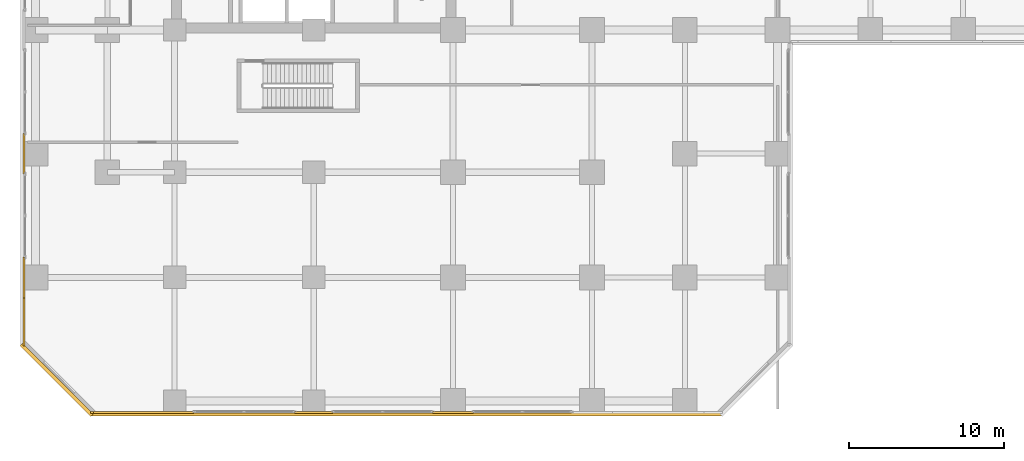
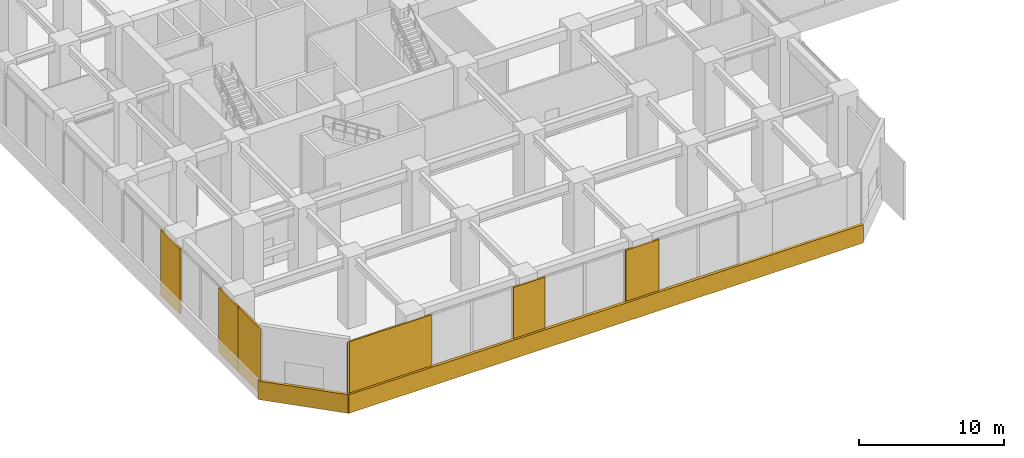
# One storey, part 27 of 34: 9 coverings.
"""IFC4 building model written with IfcOpenShell, lengths in metres."""

from ifc_helpers import new_model, si_unit, direction, frame, origin, origin_2d, place, context, subcontext, project, spatial, rectangle, extrude, source, transform, mapped, material, layer, layer_set, type_object, element, save


model = new_model("IFC4")

# Units and contexts
model_context = context("Model", 3, precision=1e-05, world=origin(), true_north=direction((0.0, 1.0)))
body_context = subcontext(model_context, "Body", "Model", "MODEL_VIEW")
ifc_project = project(units=[si_unit("LENGTHUNIT", "METRE"), si_unit("AREAUNIT", "SQUARE_METRE"), si_unit("VOLUMEUNIT", "CUBIC_METRE"), si_unit("PLANEANGLEUNIT", "RADIAN"), si_unit("MASSUNIT", "GRAM", prefix="KILO")], contexts=[model_context])

# Site, building, storey
site_placement = place(None, origin())
site = spatial("IfcSite", under=ifc_project, at=site_placement, CompositionType="ELEMENT")
building_placement = place(site_placement, origin())
building = spatial("IfcBuilding", under=site, at=building_placement, Name="Torre Montelarca", CompositionType="ELEMENT")
storey_placement = place(building_placement, frame((0.0, 0.0, 6.0)))
storey = spatial("IfcBuildingStorey", under=building, at=storey_placement, Name="L02", CompositionType="ELEMENT", Elevation=6.0)

# Coverings
ifc_material = material(Name="Bush-hammered warm white precast concrete C45/55", Category="concrete")
ifc_layer = layer(ifc_material, 0.139892578125, Name="Bush-hammered warm white precast concrete C45/55", Category="concrete")
ifc_layer_set = layer_set([ifc_layer], Name="Bush-hammered warm white precast concrete C45/55")
covering_type = type_object("IfcCoveringType", Name="COV-TRAY-CLAD", PredefinedType="CLADDING", material=ifc_layer_set)
shared_shape_1 = source(origin(), body_context, "Body", "SweptSolid", [
    extrude(rectangle(XDim=0.179931640625, YDim=0.139892578125, at=origin_2d()), origin(), (0.0, 0.0, 1.0), 5.449951171875),
])
covering_1_placement = place(storey_placement, frame((3.64990234375, -0.739990234375, 0.0), z_axis=(0.0, 0.0, 1.0), x_axis=(1.0, 0.0, 0.0)))
element("IfcCovering", 1, at=covering_1_placement, inside=storey, type_object=covering_type, Name="L02 Architectural Column Pier Cladding E01-1", PredefinedType="CLADDING", context=body_context, shape_type="MappedRepresentation", body=[
    mapped(shared_shape_1, transform((0.0, 0.0, 0.0), scale=1.0)),
])
shared_shape_2 = source(origin(), body_context, "Body", "SweptSolid", [
    extrude(rectangle(XDim=6.5849609375, YDim=0.139892578125, at=origin_2d()), origin(), (0.0, 0.0, 1.0), 5.449951171875),
])
covering_2_placement = place(storey_placement, frame((6.952392578125, -0.739990234375, 0.0), z_axis=(0.0, 0.0, 1.0), x_axis=(1.0, 0.0, 0.0)))
element("IfcCovering", 2, at=covering_2_placement, inside=storey, type_object=covering_type, Name="L02 Architectural Column Pier Cladding E01-2", PredefinedType="CLADDING", context=body_context, shape_type="MappedRepresentation", body=[
    mapped(shared_shape_2, transform((0.0, 0.0, 0.0), scale=1.0)),
])
shared_shape_3 = source(origin(), body_context, "Body", "SweptSolid", [
    extrude(rectangle(XDim=2.489990234375, YDim=0.139892578125, at=origin_2d()), origin(), (0.0, 0.0, 1.0), 5.449951171875),
])
covering_3_placement = place(storey_placement, frame((18.0, -0.739990234375, 0.0), z_axis=(0.0, 0.0, 1.0), x_axis=(1.0, 0.0, 0.0)))
element("IfcCovering", 3, at=covering_3_placement, inside=storey, type_object=covering_type, Name="L02 Architectural Column Pier Cladding E01-3", PredefinedType="CLADDING", context=body_context, shape_type="MappedRepresentation", body=[
    mapped(shared_shape_3, transform((0.0, 0.0, 0.0), scale=1.0)),
])
shared_shape_4 = source(origin(), body_context, "Body", "SweptSolid", [
    extrude(rectangle(XDim=2.639892578125, YDim=0.139892578125, at=origin_2d()), origin(), (0.0, 0.0, 1.0), 5.449951171875),
])
for number, where, z_axis, x_axis, name in (
    (4, (27.0, -0.739990234375, 0.0), (0.0, 0.0, 1.0), (1.0, 0.0, 0.0), "L02 Architectural Column Pier Cladding E01-4"),
    (5, (-0.739990234375, 16.0, 0.0), (0.0, 0.0, 1.0), (0.0, -1.0, 0.0), "L02 Architectural Column Pier Cladding E10-6"),
    (6, (-0.739990234375, 8.0, 0.0), (0.0, 0.0, 1.0), (0.0, -1.0, 0.0), "L02 Architectural Column Pier Cladding E10-7"),
):
    element("IfcCovering", number, at=place(storey_placement, frame(where, z_axis=z_axis, x_axis=x_axis)), inside=storey, type_object=covering_type, Name=name, PredefinedType="CLADDING", context=body_context, shape_type="MappedRepresentation", body=[
        mapped(shared_shape_4, transform((0.0, 0.0, 0.0), scale=1.0)),
    ])
shared_shape_5 = source(origin(), body_context, "Body", "SweptSolid", [
    extrude(rectangle(XDim=3.199951171875, YDim=0.139892578125, at=origin_2d()), origin(), (0.0, 0.0, 1.0), 5.449951171875),
])
covering_4_placement = place(storey_placement, frame((-0.739990234375, 5.159912109375, 0.0), z_axis=(0.0, 0.0, 1.0), x_axis=(0.0, -1.0, 0.0)))
element("IfcCovering", 7, at=covering_4_placement, inside=storey, type_object=covering_type, Name="L02 Architectural Column Pier Cladding E10-8", PredefinedType="CLADDING", context=body_context, shape_type="MappedRepresentation", body=[
    mapped(shared_shape_5, transform((0.0, 0.0, 0.0), scale=1.0)),
])
shared_shape_6 = source(origin(), body_context, "Body", "SweptSolid", [
    extrude(rectangle(XDim=40.919921875, YDim=0.219970703125, at=origin_2d()), origin(), (0.0, 0.0, 1.0), 1.56005859375),
])
covering_5_placement = place(storey_placement, frame((24.0, -0.8701171875, -0.400146484375), z_axis=(0.0, 0.0, 1.0), x_axis=(1.0, 0.0, 0.0)))
element("IfcCovering", 8, at=covering_5_placement, inside=storey, type_object=covering_type, Name="L02 Architectural White Spandrel Tray Band PODBOT-01", PredefinedType="CLADDING", context=body_context, shape_type="MappedRepresentation", body=[
    mapped(shared_shape_6, transform((0.0, 0.0, 0.0), scale=1.0)),
])
shared_shape_7 = source(origin(), body_context, "Body", "SweptSolid", [
    extrude(rectangle(XDim=6.48388671875, YDim=0.219970703125, at=origin_2d()), origin(), (0.0, 0.0, 1.0), 1.56005859375),
])
covering_6_placement = place(storey_placement, frame((1.37109375, 1.37109375, -0.400146484375), z_axis=(0.0, 0.0, 1.0), x_axis=(0.707106781187, -0.707106781187, 0.0)))
element("IfcCovering", 9, at=covering_6_placement, inside=storey, type_object=covering_type, Name="L02 Architectural White Spandrel Tray Band PODBOT-11", PredefinedType="CLADDING", context=body_context, shape_type="MappedRepresentation", body=[
    mapped(shared_shape_7, transform((0.0, 0.0, 0.0), scale=1.0)),
])

save(model, "model.ifc")
